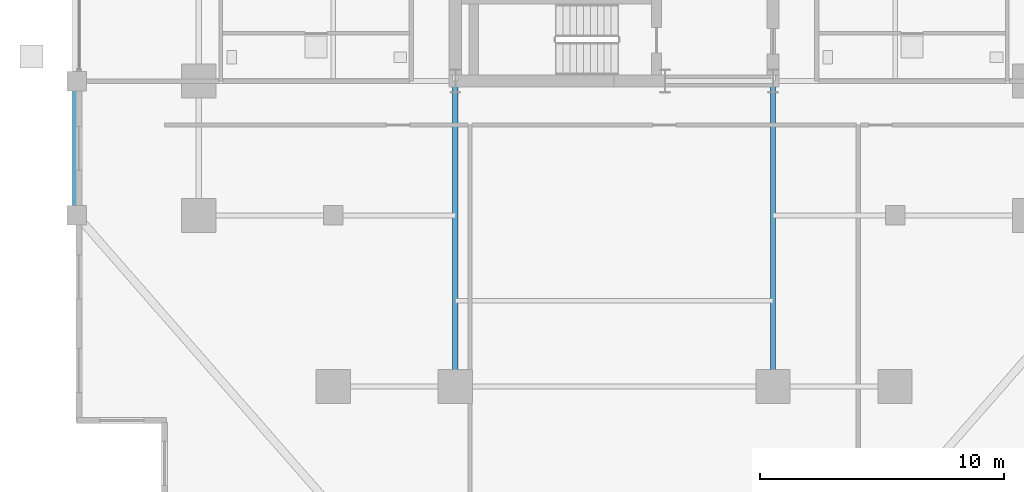
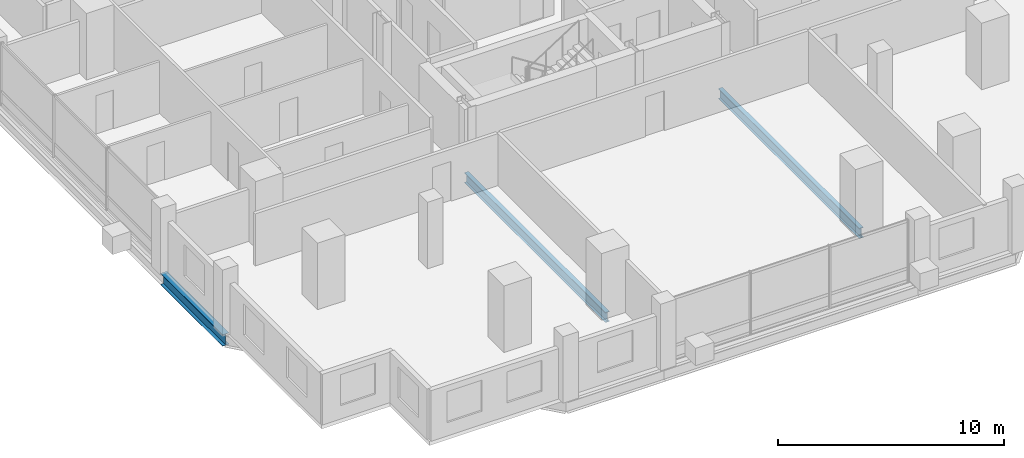
# One storey, part 3 of 23: 3 beams.
"""IFC4 building model written with IfcOpenShell, lengths in metres."""

import ifcopenshell
import ifcopenshell.guid

model = None  # the IFC model being written
_history = None  # IfcOwnerHistory: only IFC2X3 demands one
_inside = {}  # id of a spatial element -> (the spatial element, [elements in it])
_under = {}  # id of a project, library or spatial element -> (it, [spatial elements below it])
_declared = {}  # id of a project -> (the project, [libraries it declares])
_typed = {}  # id of a type object -> (the type object, [elements of that type])
_made_of = {}  # id of a material, layer set ... -> (it, [elements and type objects made of it])


def new_model(schema):
    """Start an empty IFC model of exactly this schema.

    Asked for "IFC4X3", IfcOpenShell would pick the latest addendum, in which some entities
    have other attributes; the version numbers below select the first issue.
    IFC2X3 requires an IfcOwnerHistory on every rooted entity: one is made here for all.
    """
    global model, _history
    if schema == "IFC4X3":
        model = ifcopenshell.file(schema_version=(4, 3, 0, 0))
    else:
        model = ifcopenshell.file(schema=schema)
    _inside.clear()
    _under.clear()
    _declared.clear()
    _typed.clear()
    _made_of.clear()
    _history = None
    if model.schema == "IFC2X3":
        org = make("IfcOrganization", Name="unknown")
        user = make(
            "IfcPersonAndOrganization",
            ThePerson=make("IfcPerson", FamilyName="unknown"),
            TheOrganization=org,
        )
        app = make(
            "IfcApplication",
            ApplicationDeveloper=org,
            Version="unknown",
            ApplicationFullName="unknown",
            ApplicationIdentifier="unknown",
        )
        _history = make(
            "IfcOwnerHistory",
            OwningUser=user,
            OwningApplication=app,
            ChangeAction="ADDED",
            CreationDate=0,
        )
    return model


def make(cls, **values):
    """One entity of the class cls with the attributes given. An attribute that is None is left unset."""
    return model.create_entity(
        cls, **{name: value for name, value in values.items() if value is not None}
    )


def rooted(cls, **values):
    """An entity with a GlobalId (a new one), such as an element, a storey or a relation."""
    return make(cls, GlobalId=ifcopenshell.guid.new(), OwnerHistory=_history, **values)


def si_unit(unit_type, name, prefix=None):
    """IfcSIUnit, for example si_unit("LENGTHUNIT", "METRE", prefix="MILLI")."""
    return make("IfcSIUnit", UnitType=unit_type, Prefix=prefix, Name=name)


def assignment(units):
    """IfcUnitAssignment: the units of a project."""
    return None if units is None else make("IfcUnitAssignment", Units=units)


def point(xyz):
    """IfcCartesianPoint."""
    return None if xyz is None else make("IfcCartesianPoint", Coordinates=xyz)


def direction(xyz):
    """IfcDirection."""
    return None if xyz is None else make("IfcDirection", DirectionRatios=xyz)


def frame(location, z_axis=None, x_axis=None):
    """IfcAxis2Placement3D, a coordinate frame: its origin and axes. An axis left out is left unset."""
    return make(
        "IfcAxis2Placement3D",
        Location=point(location),
        Axis=direction(z_axis),
        RefDirection=direction(x_axis),
    )


def frame_2d(location, x_axis=None):
    """IfcAxis2Placement2D, a coordinate frame in the plane: its origin and x axis."""
    return make(
        "IfcAxis2Placement2D", Location=point(location), RefDirection=direction(x_axis)
    )


def origin():
    """The frame at (0, 0, 0) with its axes left unset."""
    return frame((0.0, 0.0, 0.0))


def origin_2d():
    """The frame at (0, 0) in the plane with its x axis left unset."""
    return frame_2d((0.0, 0.0))


def place(relative_to, where):
    """IfcLocalPlacement: puts the frame where relative to a parent placement (None: the world)."""
    return make(
        "IfcLocalPlacement", PlacementRelTo=relative_to, RelativePlacement=where
    )


def context(
    kind, dimensions, precision=None, world=None, true_north=None, identifier=None
):
    """IfcGeometricRepresentationContext, for example the 3D "Model" context."""
    return make(
        "IfcGeometricRepresentationContext",
        ContextIdentifier=identifier,
        ContextType=kind,
        CoordinateSpaceDimension=dimensions,
        Precision=precision,
        WorldCoordinateSystem=world,
        TrueNorth=true_north,
    )


def subcontext(parent, identifier, kind, view, scale=None):
    """IfcGeometricRepresentationSubContext, for example "Body" below "Model"."""
    return make(
        "IfcGeometricRepresentationSubContext",
        ContextIdentifier=identifier,
        ContextType=kind,
        ParentContext=parent,
        TargetScale=scale,
        TargetView=view,
    )


def project(units=None, contexts=None):
    """IfcProject with its units and contexts."""
    return rooted(
        "IfcProject",
        Name="project",
        RepresentationContexts=contexts,
        UnitsInContext=assignment(units),
    )


def spatial(cls, under=None, at=None, **own):
    """A site, building, storey or space (cls), placed at a placement, below another one or the project."""
    s = rooted(cls, ObjectPlacement=at, **own)
    if under is not None:
        _under.setdefault(under.id(), (under, []))[1].append(s)
    return s


def profile(cls, at=None, kind="AREA", **sizes):
    """A parametric profile (cls). Its sizes go by their IFC names, for example OverallWidth=200.0."""
    return make(cls, ProfileType=kind, Position=at, **sizes)


def i_section(**sizes):
    """IfcIShapeProfileDef."""
    return profile("IfcIShapeProfileDef", **sizes)


def extrude(swept, where, along, depth):
    """IfcExtrudedAreaSolid: the profile swept, set in the frame where, extruded along a direction by depth."""
    return make(
        "IfcExtrudedAreaSolid",
        SweptArea=swept,
        Position=where,
        ExtrudedDirection=direction(along),
        Depth=depth,
    )


def shape(context_of_items, identifier, shape_type, items):
    """IfcShapeRepresentation: the items that make up one representation, for example the "Body"."""
    return make(
        "IfcShapeRepresentation",
        ContextOfItems=context_of_items,
        RepresentationIdentifier=identifier,
        RepresentationType=shape_type,
        Items=items,
    )


def material(Name=None, Category=None):
    """IfcMaterial."""
    return make("IfcMaterial", Name=Name, Category=Category)


def material_profile(
    of_material, cross_section, Name=None, Category=None, Priority=None
):
    """IfcMaterialProfile: a cross section and its material."""
    return make(
        "IfcMaterialProfile",
        Name=Name,
        Material=of_material,
        Profile=cross_section,
        Priority=Priority,
        Category=Category,
    )


def profile_set(profiles, Name=None, composite=None):
    """IfcMaterialProfileSet."""
    return make(
        "IfcMaterialProfileSet",
        Name=Name,
        MaterialProfiles=profiles,
        CompositeProfile=composite,
    )


def made_of(thing, what):
    """Note that an element or type object is made of a material, layer set ...; save() writes the relation."""
    if what is not None:
        _made_of.setdefault(what.id(), (what, []))[1].append(thing)
    return thing


def type_object(cls, material=None, **own):
    """A type object (cls), such as IfcWallType, which elements share."""
    return made_of(rooted(cls, **own), material)


def element(
    cls,
    number,
    at=None,
    inside=None,
    cuts=None,
    type_object=None,
    material=None,
    context=None,
    identifier="Body",
    shape_type=None,
    held_by="IfcProductDefinitionShape",
    body=None,
    shapes=None,
    **own,
):
    """One element of the class cls, such as IfcWall. Its Tag is "e" and its number.

    at: its placement. inside: the storey or other place that contains it. cuts: it is an
    opening in that element (IfcRelVoidsElement). A single representation is given by context,
    identifier, shape_type and body (its items); several are given by shapes. held_by: the class
    of the entity that holds the representations. save() writes the other relations.
    """
    e = rooted(cls, Tag="e%d" % number, ObjectPlacement=at, **own)
    if body is not None:
        shapes = [shape(context, identifier, shape_type, body)]
    if shapes is not None:
        e.Representation = make(held_by, Representations=shapes)
    if inside is not None:
        _inside.setdefault(inside.id(), (inside, []))[1].append(e)
    if cuts is not None:
        rooted(
            "IfcRelVoidsElement", RelatingBuildingElement=cuts, RelatedOpeningElement=e
        )
    if type_object is not None:
        _typed.setdefault(type_object.id(), (type_object, []))[1].append(e)
    return made_of(e, material)


def aggregate(whole, parts):
    """IfcRelAggregates: a whole, such as a stair, and the parts it consists of."""
    return rooted("IfcRelAggregates", RelatingObject=whole, RelatedObjects=parts)


def save(model, path):
    """Write the relations noted so far, then the file.

    IfcRelAggregates (storeys below a building ...), IfcRelContainedInSpatialStructure (elements
    in a storey), IfcRelDefinesByType, IfcRelAssociatesMaterial and IfcRelDeclares: one each for
    every whole, place, type object, material and project.
    """
    for whole, parts in _under.values():
        aggregate(whole, parts)
    for where, things in _inside.values():
        rooted(
            "IfcRelContainedInSpatialStructure",
            RelatedElements=things,
            RelatingStructure=where,
        )
    for kind, things in _typed.values():
        rooted("IfcRelDefinesByType", RelatedObjects=things, RelatingType=kind)
    for what, things in _made_of.values():
        rooted("IfcRelAssociatesMaterial", RelatedObjects=things, RelatingMaterial=what)
    for by, libraries in _declared.values():
        rooted("IfcRelDeclares", RelatingContext=by, RelatedDefinitions=libraries)
    model.write(path)


model = new_model("IFC4")

# Units and contexts
model_context = context("Model", 3, precision=1e-05, world=origin(), true_north=direction((0.0, 1.0)))
body_context = subcontext(model_context, "Body", "Model", "MODEL_VIEW")
ifc_project = project(units=[si_unit("LENGTHUNIT", "METRE"), si_unit("AREAUNIT", "SQUARE_METRE"), si_unit("VOLUMEUNIT", "CUBIC_METRE"), si_unit("PLANEANGLEUNIT", "RADIAN"), si_unit("MASSUNIT", "GRAM", prefix="KILO")], contexts=[model_context])

# Site, building, storey
site_placement = place(None, origin())
site = spatial("IfcSite", under=ifc_project, at=site_placement, CompositionType="ELEMENT")
building_placement = place(site_placement, origin())
building = spatial("IfcBuilding", under=site, at=building_placement, Name="Barlavira Tower and Art Museum", CompositionType="ELEMENT")
storey_placement = place(building_placement, frame((0.0, 0.0, 64.800048828125)))
storey = spatial("IfcBuildingStorey", under=building, at=storey_placement, Name="L15", CompositionType="ELEMENT", Elevation=64.800048828125)

# Beams
ifc_material = material(Name="Steel S355", Category="steel")
ifc_material_profile_1 = material_profile(ifc_material, i_section(OverallWidth=0.327880859375, OverallDepth=0.62890625, WebThickness=0.013916015625, FlangeThickness=0.021484375, at=origin_2d()), Name="W610x174.0")
ifc_profile_set_1 = profile_set([ifc_material_profile_1], Name="Steel S355")
beam_type_1 = type_object("IfcBeamType", Name="Perimeter Spandrel Edge Beam W610x174 Steel S355", PredefinedType="SPANDREL", material=ifc_profile_set_1)
beam_placement = place(storey_placement, frame((-22.0, -13.0, -0.53466796875), z_axis=(0.0, 1.0, 0.0), x_axis=(-1.0, 0.0, 0.0)))
element("IfcBeam", 1, at=beam_placement, inside=storey, type_object=beam_type_1, Name="L15 Spandrel 15", PredefinedType="SPANDREL", context=body_context, shape_type="SweptSolid", body=[
    extrude(i_section(OverallWidth=0.327880859375, OverallDepth=0.62890625, WebThickness=0.013916015625, FlangeThickness=0.021484375, at=origin_2d()), origin(), (0.0, 0.0, 1.0), 5.5),
])
ifc_material_profile_2 = material_profile(ifc_material, i_section(OverallWidth=0.214111328125, OverallDepth=0.549072265625, WebThickness=0.0146484375, FlangeThickness=0.023681640625, at=origin_2d()), Name="W530x138.0")
ifc_profile_set_2 = profile_set([ifc_material_profile_2], Name="Steel S355")
beam_type_2 = type_object("IfcBeamType", Name="Zone 1 Primary Floor Girder W530x138 Steel S355", PredefinedType="BEAM", material=ifc_profile_set_2)
for number, where, z_axis, x_axis, name in (
    (2, (-6.5, -20.0, -0.49462890625), (0.0, 1.0, 0.0), (-1.0, 0.0, 0.0), "L15 Girder R-S1"),
    (3, (6.5, -20.0, -0.49462890625), (0.0, 1.0, 0.0), (-1.0, 0.0, 0.0), "L15 Girder R-S2"),
):
    element("IfcBeam", number, at=place(storey_placement, frame(where, z_axis=z_axis, x_axis=x_axis)), inside=storey, type_object=beam_type_2, Name=name, PredefinedType="BEAM", context=body_context, shape_type="SweptSolid", body=[
        extrude(i_section(OverallWidth=0.214111328125, OverallDepth=0.549072265625, WebThickness=0.0146484375, FlangeThickness=0.023681640625, at=origin_2d()), origin(), (0.0, 0.0, 1.0), 12.5),
    ])

save(model, "model.ifc")
